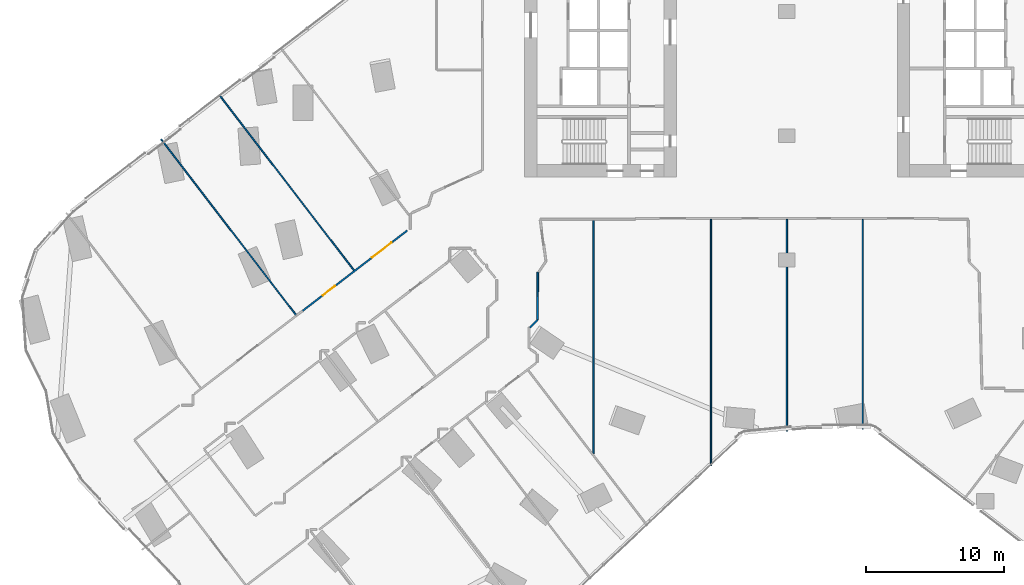
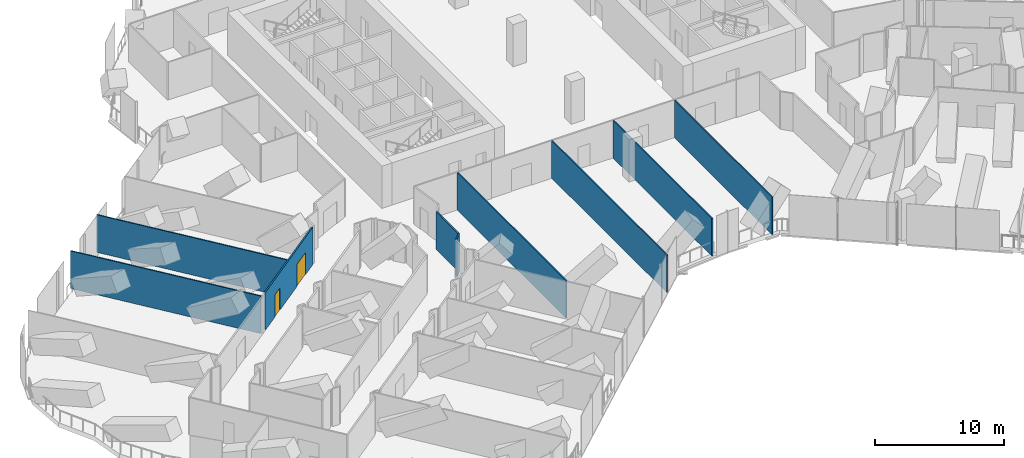
# One storey, part 23 of 32: 9 walls, 2 doors, 2 openings.
"""IFC4 building model written with IfcOpenShell, lengths in metres."""

from ifc_helpers import new_model, si_unit, direction, frame, frame_2d, origin, place, context, subcontext, project, spatial, rectangle, extrude, material, layer, layer_set, type_object, element, fill, save


model = new_model("IFC4")

# Units and contexts
model_context = context("Model", 3, precision=1e-05, world=origin(), true_north=direction((0.0, 1.0)))
body_context = subcontext(model_context, "Body", "Model", "MODEL_VIEW")
ifc_project = project(units=[si_unit("LENGTHUNIT", "METRE"), si_unit("AREAUNIT", "SQUARE_METRE"), si_unit("VOLUMEUNIT", "CUBIC_METRE"), si_unit("PLANEANGLEUNIT", "RADIAN"), si_unit("MASSUNIT", "GRAM", prefix="KILO")], contexts=[model_context])

# Site, building, storey
site_placement = place(None, origin())
site = spatial("IfcSite", under=ifc_project, at=site_placement, CompositionType="ELEMENT")
building_placement = place(site_placement, origin())
building = spatial("IfcBuilding", under=site, at=building_placement, Name="Orlundy Tower", CompositionType="ELEMENT")
storey_placement = place(building_placement, frame((0.0, 0.0, 33.300048828125)))
storey = spatial("IfcBuildingStorey", under=building, at=storey_placement, Name="L06", CompositionType="ELEMENT", Elevation=33.300048828125)

# Walls
ifc_material_1 = material(Name="Gypsum board partition")
ifc_layer_1 = layer(ifc_material_1, 0.10009765625)
ifc_layer_set_1 = layer_set([ifc_layer_1], Name="Floor partition 100")
wall_type_1 = type_object("IfcWallType", Name="Floor partition 100", PredefinedType="PARTITIONING", material=ifc_layer_set_1)
for number, where, z_axis, x_axis, name in (
    (1, (-45.3310546875, -9.259033203125, 0.0), (0.0, 0.0, 1.0), (0.608773776811, -0.793343865337, 0.0), "wall-int-L06-017"),
    (2, (-41.1259765625, -6.031982421875, 0.0), (0.0, 0.0, 1.0), (0.608773776811, -0.793343865337, 0.0), "wall-int-L06-020"),
):
    element("IfcWall", number, at=place(storey_placement, frame(where, z_axis=z_axis, x_axis=x_axis)), inside=storey, type_object=wall_type_1, Name=name, PredefinedType="PARTITIONING", context=body_context, shape_type="SweptSolid", body=[
        extrude(rectangle(XDim=16.037109375, YDim=0.10009765625, at=frame_2d((8.0185546875, 0.0))), origin(), (0.0, 0.0, 1.0), 3.56005859375),
    ])
wall_1_placement = place(storey_placement, frame((5.49609375, -30.25, 0.0), z_axis=(0.0, 0.0, 1.0), x_axis=(0.0, 1.0, 0.0)))
element("IfcWall", 3, at=wall_1_placement, inside=storey, type_object=wall_type_1, Name="wall-int-L06-147", PredefinedType="PARTITIONING", context=body_context, shape_type="SweptSolid", body=[
    extrude(rectangle(XDim=15.18701171875, YDim=0.10009765625, at=frame_2d((7.593505859375, 0.0))), origin(), (0.0, 0.0, 1.0), 3.56005859375),
])
wall_2_placement = place(storey_placement, frame((0.0, -30.39892578125, 0.0), z_axis=(0.0, 0.0, 1.0), x_axis=(0.0, 1.0, 0.0)))
element("IfcWall", 4, at=wall_2_placement, inside=storey, type_object=wall_type_1, Name="wall-int-L06-148", PredefinedType="PARTITIONING", context=body_context, shape_type="SweptSolid", body=[
    extrude(rectangle(XDim=15.3359375, YDim=0.10009765625, at=frame_2d((7.66796875, 0.0))), origin(), (0.0, 0.0, 1.0), 3.56005859375),
])
wall_3_placement = place(storey_placement, frame((-5.493896484375, -32.9169921875, 0.0), z_axis=(0.0, 0.0, 1.0), x_axis=(0.0, 1.0, 0.0)))
element("IfcWall", 5, at=wall_3_placement, inside=storey, type_object=wall_type_1, Name="wall-int-L06-150", PredefinedType="PARTITIONING", context=body_context, shape_type="SweptSolid", body=[
    extrude(rectangle(XDim=17.85400390625, YDim=0.10009765625, at=frame_2d((8.927001953125, 0.0))), origin(), (0.0, 0.0, 1.0), 3.56005859375),
])
wall_4_placement = place(storey_placement, frame((-14.0, -32.027099609375, 0.0), z_axis=(0.0, 0.0, 1.0), x_axis=(0.0, 1.0, 0.0)))
element("IfcWall", 6, at=wall_4_placement, inside=storey, type_object=wall_type_1, Name="wall-int-L06-151", PredefinedType="PARTITIONING", context=body_context, shape_type="SweptSolid", body=[
    extrude(rectangle(XDim=16.9130859375, YDim=0.10009765625, at=frame_2d((8.45654296875, 0.0))), origin(), (0.0, 0.0, 1.0), 3.56005859375),
])
ifc_material_2 = material(Name="Gypsum board partition, double layer")
ifc_layer_2 = layer(ifc_material_2, 0.125)
ifc_layer_set_2 = layer_set([ifc_layer_2], Name="Floor partition 125")
wall_type_2 = type_object("IfcWallType", Name="Floor partition 125", PredefinedType="PARTITIONING", material=ifc_layer_set_2)
wall_5_placement = place(storey_placement, frame((-18.6220703125, -22.89404296875, 0.0), z_axis=(0.0, 0.0, 1.0), x_axis=(0.70974550127, 0.704458177202, 0.0)))
element("IfcWall", 7, at=wall_5_placement, inside=storey, type_object=wall_type_2, Name="wall-int-L06-066", PredefinedType="PARTITIONING", context=body_context, shape_type="SweptSolid", body=[
    extrude(rectangle(XDim=0.784912109375, YDim=0.125, at=frame_2d((0.392578125, 0.0))), origin(), (0.0, 0.0, 1.0), 3.56005859375),
])

# Wall, openings, doors
wall_6_placement = place(storey_placement, frame((-35.0810546875, -21.68701171875, 0.0), z_axis=(0.0, 0.0, 1.0), x_axis=(0.793358624224, 0.608754542792, 0.0)))
wall_6 = element("IfcWall", 8, at=wall_6_placement, inside=storey, type_object=wall_type_2, Name="wall-int-L06-110", PredefinedType="PARTITIONING", context=body_context, shape_type="SweptSolid", body=[
    extrude(rectangle(XDim=9.567138671875, YDim=0.125, at=frame_2d((4.78369140625, 0.0))), origin(), (0.0, 0.0, 1.0), 3.56005859375),
])
opening_1_placement = place(wall_6_placement, frame((6.334228515625, 0.0, 0.0)))
opening_1 = element("IfcOpeningElement", 9, at=opening_1_placement, cuts=wall_6, Name="Opening 07116", PredefinedType="OPENING", context=body_context, shape_type="SweptSolid", body=[
    extrude(rectangle(XDim=1.800048828125, YDim=2.10009765625, at=frame_2d((0.89990234375, 1.050048828125))), frame((0.0, 0.072509765625, 0.0), z_axis=(0.0, -1.0, 0.0), x_axis=(1.0, 0.0, 0.0)), (0.0, 0.0, 1.0), 0.14501953125),
])
opening_2_placement = place(wall_6_placement, frame((1.85009765625, 0.0, 0.0)))
opening_2 = element("IfcOpeningElement", 10, at=opening_2_placement, cuts=wall_6, Name="Opening 07117", PredefinedType="OPENING", context=body_context, shape_type="SweptSolid", body=[
    extrude(rectangle(XDim=1.10009765625, YDim=2.10009765625, at=frame_2d((0.550048828125, 1.050048828125))), frame((0.0, 0.072509765625, 0.0), z_axis=(0.0, -1.0, 0.0), x_axis=(1.0, 0.0, 0.0)), (0.0, 0.0, 1.0), 0.14501953125),
])
ifc_material_3 = material(Name="Timber door leaf", Category="wood")
door_type_1 = type_object("IfcDoorType", Name="Floor door double 1800 FD30S", OperationType="NOTDEFINED", PredefinedType="DOOR", material=ifc_material_3)
door_1_placement = place(opening_1_placement, origin())
door_1 = element("IfcDoor", 11, at=door_1_placement, inside=storey, type_object=door_type_1, Name="Door 07116", OperationType="DOUBLE_DOOR_SINGLE_SWING", OverallHeight=2.10009765625, OverallWidth=1.800048828125, PredefinedType="DOOR", context=body_context, shape_type="SweptSolid", body=[
    extrude(rectangle(XDim=1.800048828125, YDim=2.10009765625, at=frame_2d((0.89990234375, 1.050048828125))), frame((0.0, 0.02490234375, 0.0), z_axis=(0.0, -1.0, 0.0), x_axis=(1.0, 0.0, 0.0)), (0.0, 0.0, 1.0), 0.050048828125),
])
fill(opening_1, door_1)
ifc_material_4 = material(Name="Timber door leaf", Category="wood")
door_type_2 = type_object("IfcDoorType", Name="Floor door xwide 1100 FD30S", OperationType="NOTDEFINED", PredefinedType="DOOR", material=ifc_material_4)
door_2_placement = place(opening_2_placement, origin())
door_2 = element("IfcDoor", 12, at=door_2_placement, inside=storey, type_object=door_type_2, Name="Door 07117", OperationType="SINGLE_SWING_LEFT", OverallHeight=2.10009765625, OverallWidth=1.10009765625, PredefinedType="DOOR", context=body_context, shape_type="SweptSolid", body=[
    extrude(rectangle(XDim=1.10009765625, YDim=2.10009765625, at=frame_2d((0.550048828125, 1.050048828125))), frame((0.0, 0.02490234375, 0.0), z_axis=(0.0, -1.0, 0.0), x_axis=(1.0, 0.0, 0.0)), (0.0, 0.0, 1.0), 0.050048828125),
])
fill(opening_2, door_2)

# Wall
wall_7_placement = place(storey_placement, frame((-18.06494140625, -22.341064453125, 0.0), z_axis=(0.0, 0.0, 1.0), x_axis=(0.004875578002, 0.999988114299, 0.0)))
element("IfcWall", 13, at=wall_7_placement, inside=storey, type_object=wall_type_2, Name="wall-int-L06-129", PredefinedType="PARTITIONING", context=body_context, shape_type="SweptSolid", body=[
    extrude(rectangle(XDim=3.455078125, YDim=0.125, at=frame_2d((1.7275390625, 0.0))), origin(), (0.0, 0.0, 1.0), 3.56005859375),
])

save(model, "model.ifc")
